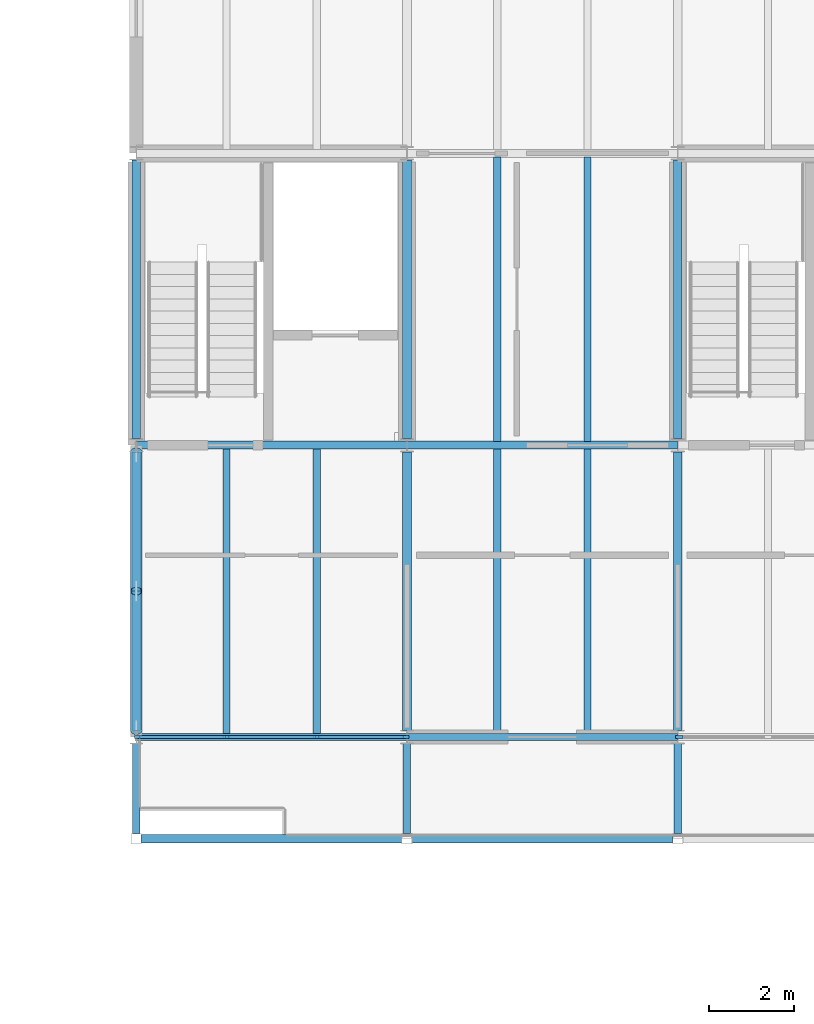
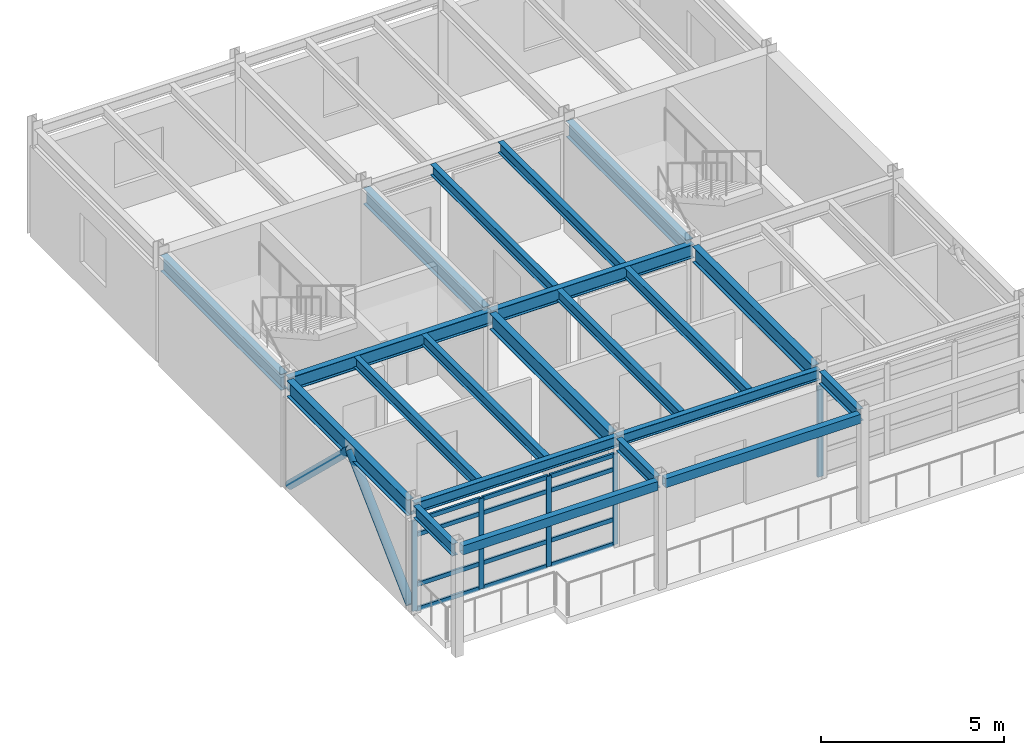
# One storey, part 18 of 57: 21 beams, 19 members, 2 elements without a shape of their own.
"""IFC4 building model written with IfcOpenShell, lengths in metres."""

from ifc_helpers import new_model, si_unit, direction, frame, origin, origin_2d, place, context, subcontext, project, spatial, rectangle, hollow_rectangle, hollow_circle, i_section, extrude, material, layer, layer_set, material_profile, profile_set, type_object, element, aggregate, save


model = new_model("IFC4")

# Units and contexts
model_context = context("Model", 3, precision=1e-05, world=origin(), true_north=direction((0.0, 1.0)))
body_context = subcontext(model_context, "Body", "Model", "MODEL_VIEW")
ifc_project = project(units=[si_unit("LENGTHUNIT", "METRE"), si_unit("AREAUNIT", "SQUARE_METRE"), si_unit("VOLUMEUNIT", "CUBIC_METRE"), si_unit("PLANEANGLEUNIT", "RADIAN"), si_unit("MASSUNIT", "GRAM", prefix="KILO")], contexts=[model_context])

# Site, building, storey
site_placement = place(None, origin())
site = spatial("IfcSite", under=ifc_project, at=site_placement, CompositionType="ELEMENT")
building_placement = place(site_placement, origin())
building = spatial("IfcBuilding", under=site, at=building_placement, Name="Trelmorton Wharf Fire Station", CompositionType="ELEMENT")
storey_placement = place(building_placement, frame((0.0, 0.0, 13.5)))
storey = spatial("IfcBuildingStorey", under=building, at=storey_placement, Name="L03", CompositionType="ELEMENT", Elevation=13.5)

# Beams
ifc_material_1 = material(Name="Steel Grade 350", Category="steel")
ifc_material_profile_1 = material_profile(ifc_material_1, i_section(OverallWidth=0.177978515625, OverallDepth=0.406005859375, WebThickness=0.0078125, FlangeThickness=0.0126953125, FilletRadius=0.011474609375, at=origin_2d()), Name="410UB59.7")
ifc_profile_set_1 = profile_set([ifc_material_profile_1], Name="Steel Grade 350")
beam_type_1 = type_object("IfcBeamType", Name="BM_410UB60", PredefinedType="BEAM", material=ifc_profile_set_1)
beam_1_placement = place(storey_placement, frame((70.800048828125, 58.02099609375, 3.427001953125), z_axis=(0.0, 1.0, 0.0), x_axis=(-1.0, 0.0, 0.0)))
element("IfcBeam", 1, at=beam_1_placement, inside=storey, type_object=beam_type_1, Name="BM-L03-0964", PredefinedType="BEAM", context=body_context, shape_type="SweptSolid", body=[
    extrude(i_section(OverallWidth=0.177978515625, OverallDepth=0.406005859375, WebThickness=0.0078125, FlangeThickness=0.0126953125, FilletRadius=0.011474609375, at=origin_2d()), origin(), (0.0, 0.0, 1.0), 2.12548828125),
])
for number, where, z_axis, x_axis, name in (
    (2, (77.199951171875, 58.02099609375, 3.427001953125), (0.0, 1.0, 0.0), (-1.0, 0.0, 0.0), "BM-L03-0968"),
    (3, (83.60009765625, 58.02099609375, 3.427001953125), (0.0, 1.0, 0.0), (-1.0, 0.0, 0.0), "BM-L03-0972"),
):
    element("IfcBeam", number, at=place(storey_placement, frame(where, z_axis=z_axis, x_axis=x_axis)), inside=storey, type_object=beam_type_1, Name=name, PredefinedType="BEAM", context=body_context, shape_type="SweptSolid", body=[
        extrude(i_section(OverallWidth=0.177978515625, OverallDepth=0.406005859375, WebThickness=0.0078125, FlangeThickness=0.0126953125, FilletRadius=0.011474609375, at=origin_2d()), origin(), (0.0, 0.0, 1.0), 2.12255859375),
    ])
ifc_material_profile_2 = material_profile(ifc_material_1, i_section(OverallWidth=0.18994140625, OverallDepth=0.45703125, WebThickness=0.009033203125, FlangeThickness=0.014404296875, FilletRadius=0.011474609375, at=origin_2d()), Name="460UB74.6")
ifc_profile_set_2 = profile_set([ifc_material_profile_2], Name="Steel Grade 350")
beam_type_2 = type_object("IfcBeamType", Name="BM_460UB75", PredefinedType="BEAM", material=ifc_profile_set_2)
beam_2_placement = place(storey_placement, frame((70.804931640625, 67.199951171875, 3.401611328125), z_axis=(1.0, 0.0, 0.0), x_axis=(0.0, 1.0, 0.0)))
element("IfcBeam", 4, at=beam_2_placement, inside=storey, type_object=beam_type_2, Name="BM-L03-0931", PredefinedType="BEAM", context=body_context, shape_type="SweptSolid", body=[
    extrude(i_section(OverallWidth=0.18994140625, OverallDepth=0.45703125, WebThickness=0.009033203125, FlangeThickness=0.014404296875, FilletRadius=0.011474609375, at=origin_2d()), origin(), (0.0, 0.0, 1.0), 6.39013671875),
])
beam_3_placement = place(storey_placement, frame((77.204833984375, 67.199951171875, 3.401611328125), z_axis=(1.0, 0.0, 0.0), x_axis=(0.0, 1.0, 0.0)))
element("IfcBeam", 5, at=beam_3_placement, inside=storey, type_object=beam_type_2, Name="BM-L03-0932", PredefinedType="BEAM", context=body_context, shape_type="SweptSolid", body=[
    extrude(i_section(OverallWidth=0.18994140625, OverallDepth=0.45703125, WebThickness=0.009033203125, FlangeThickness=0.014404296875, FilletRadius=0.011474609375, at=origin_2d()), origin(), (0.0, 0.0, 1.0), 6.390380859375),
])
ifc_material_profile_3 = material_profile(ifc_material_1, i_section(OverallWidth=0.208984375, OverallDepth=0.532958984375, WebThickness=0.01025390625, FlangeThickness=0.015625, FilletRadius=0.013916015625, at=origin_2d()), Name="530UB92.4")
ifc_profile_set_3 = profile_set([ifc_material_profile_3], Name="Steel Grade 350")
beam_type_3 = type_object("IfcBeamType", Name="BM_530UB92", PredefinedType="BEAM", material=ifc_profile_set_3)
beam_4_placement = place(storey_placement, frame((70.800048828125, 60.45361328125, 3.363525390625), z_axis=(0.0, 1.0, 0.0), x_axis=(-1.0, 0.0, 0.0)))
element("IfcBeam", 6, at=beam_4_placement, inside=storey, type_object=beam_type_3, Name="BM-L03-0965", PredefinedType="BEAM", context=body_context, shape_type="SweptSolid", body=[
    extrude(i_section(OverallWidth=0.208984375, OverallDepth=0.532958984375, WebThickness=0.01025390625, FlangeThickness=0.015625, FilletRadius=0.013916015625, at=origin_2d()), origin(), (0.0, 0.0, 1.0), 6.58984375),
])
beam_5_placement = place(storey_placement, frame((70.800048828125, 67.3564453125, 3.363525390625), z_axis=(0.0, 1.0, 0.0), x_axis=(-1.0, 0.0, 0.0)))
element("IfcBeam", 7, at=beam_5_placement, inside=storey, type_object=beam_type_3, Name="BM-L03-0966", PredefinedType="BEAM", context=body_context, shape_type="SweptSolid", body=[
    extrude(i_section(OverallWidth=0.208984375, OverallDepth=0.532958984375, WebThickness=0.01025390625, FlangeThickness=0.015625, FilletRadius=0.013916015625, at=origin_2d()), origin(), (0.0, 0.0, 1.0), 6.587158203125),
])
beam_6_placement = place(storey_placement, frame((77.199951171875, 60.45654296875, 3.363525390625), z_axis=(0.0, 1.0, 0.0), x_axis=(-1.0, 0.0, 0.0)))
element("IfcBeam", 8, at=beam_6_placement, inside=storey, type_object=beam_type_3, Name="BM-L03-0969", PredefinedType="BEAM", context=body_context, shape_type="SweptSolid", body=[
    extrude(i_section(OverallWidth=0.208984375, OverallDepth=0.532958984375, WebThickness=0.01025390625, FlangeThickness=0.015625, FilletRadius=0.013916015625, at=origin_2d()), origin(), (0.0, 0.0, 1.0), 6.5869140625),
])
beam_7_placement = place(storey_placement, frame((77.199951171875, 67.3564453125, 3.363525390625), z_axis=(0.0, 1.0, 0.0), x_axis=(-1.0, 0.0, 0.0)))
element("IfcBeam", 9, at=beam_7_placement, inside=storey, type_object=beam_type_3, Name="BM-L03-0970", PredefinedType="BEAM", context=body_context, shape_type="SweptSolid", body=[
    extrude(i_section(OverallWidth=0.208984375, OverallDepth=0.532958984375, WebThickness=0.01025390625, FlangeThickness=0.015625, FilletRadius=0.013916015625, at=origin_2d()), origin(), (0.0, 0.0, 1.0), 6.587158203125),
])
beam_8_placement = place(storey_placement, frame((83.60009765625, 60.45654296875, 3.363525390625), z_axis=(0.0, 1.0, 0.0), x_axis=(-1.0, 0.0, 0.0)))
element("IfcBeam", 10, at=beam_8_placement, inside=storey, type_object=beam_type_3, Name="BM-L03-0973", PredefinedType="BEAM", context=body_context, shape_type="SweptSolid", body=[
    extrude(i_section(OverallWidth=0.208984375, OverallDepth=0.532958984375, WebThickness=0.01025390625, FlangeThickness=0.015625, FilletRadius=0.013916015625, at=origin_2d()), origin(), (0.0, 0.0, 1.0), 6.5869140625),
])
beam_9_placement = place(storey_placement, frame((83.60009765625, 67.3564453125, 3.363525390625), z_axis=(0.0, 1.0, 0.0), x_axis=(-1.0, 0.0, 0.0)))
element("IfcBeam", 11, at=beam_9_placement, inside=storey, type_object=beam_type_3, Name="BM-L03-0974", PredefinedType="BEAM", context=body_context, shape_type="SweptSolid", body=[
    extrude(i_section(OverallWidth=0.208984375, OverallDepth=0.532958984375, WebThickness=0.01025390625, FlangeThickness=0.015625, FilletRadius=0.013916015625, at=origin_2d()), origin(), (0.0, 0.0, 1.0), 6.587158203125),
])
ifc_material_2 = material(Name="Signal-red architectural steel Grade 350", Category="steel")
ifc_material_profile_4 = material_profile(ifc_material_2, hollow_rectangle(XDim=0.199951171875, YDim=0.300048828125, WallThickness=0.012451171875, at=origin_2d()), Name="300x200x12.5RHS")
ifc_profile_set_4 = profile_set([ifc_material_profile_4], Name="Signal-red architectural steel Grade 350")
beam_type_4 = type_object("IfcBeamType", Name="BM_RED_300RHS", PredefinedType="BEAM", material=ifc_profile_set_4)
beam_10_placement = place(storey_placement, frame((70.9208984375, 57.89990234375, 3.47998046875), z_axis=(1.0, 0.0, 0.0), x_axis=(0.0, 1.0, 0.0)))
element("IfcBeam", 12, at=beam_10_placement, inside=storey, type_object=beam_type_4, Name="BM-L03-0917", PredefinedType="BEAM", context=body_context, shape_type="SweptSolid", body=[
    extrude(hollow_rectangle(XDim=0.199951171875, YDim=0.300048828125, WallThickness=0.012451171875, at=origin_2d()), origin(), (0.0, 0.0, 1.0), 6.158203125),
])
beam_11_placement = place(storey_placement, frame((77.321044921875, 57.89990234375, 3.47998046875), z_axis=(1.0, 0.0, 0.0), x_axis=(0.0, 1.0, 0.0)))
element("IfcBeam", 13, at=beam_11_placement, inside=storey, type_object=beam_type_4, Name="BM-L03-0918", PredefinedType="BEAM", context=body_context, shape_type="SweptSolid", body=[
    extrude(hollow_rectangle(XDim=0.199951171875, YDim=0.300048828125, WallThickness=0.012451171875, at=origin_2d()), origin(), (0.0, 0.0, 1.0), 6.157958984375),
])

# Members
ifc_material_3 = material(Name="Steel C350L0 (350 MPa)", Category="steel")
ifc_material_profile_5 = material_profile(ifc_material_3, hollow_circle(Radius=0.136474609375, WallThickness=0.00927734375, at=origin_2d()), Name="273.1x9.3CHS")
ifc_profile_set_5 = profile_set([ifc_material_profile_5], Name="Steel C350L0 (350 MPa)")
member_type_1 = type_object("IfcMemberType", Name="BR_273CHS", PredefinedType="BRACE", material=ifc_profile_set_5)
member_1_placement = place(storey_placement, frame((70.800048828125, 60.45458984375, 0.1201171875), z_axis=(0.0, 0.721790056105, 0.692112068171), x_axis=(-1.0, 0.0, 0.0)))
element("IfcMember", 14, at=member_1_placement, inside=storey, type_object=member_type_1, Name="CBF-V2-W-L03-A", PredefinedType="BRACE", context=body_context, shape_type="SweptSolid", body=[
    extrude(hollow_circle(Radius=0.136474609375, WallThickness=0.00927734375, at=origin_2d()), origin(), (0.0, 0.0, 1.0), 4.565673828125),
])
member_2_placement = place(storey_placement, frame((70.800048828125, 67.04248046875, 0.1201171875), z_axis=(0.0, -0.721482462485, 0.692432708879), x_axis=(1.0, 0.0, 0.0)))
element("IfcMember", 15, at=member_2_placement, inside=storey, type_object=member_type_1, Name="CBF-V2-W-L03-B", PredefinedType="BRACE", context=body_context, shape_type="SweptSolid", body=[
    extrude(hollow_circle(Radius=0.136474609375, WallThickness=0.00927734375, at=origin_2d()), origin(), (0.0, 0.0, 1.0), 4.5634765625),
])

# Curtain wall, members
ifc_material_4 = material(Name="Anodised aluminium AW-6063", Category="aluminium")
ifc_layer = layer(ifc_material_4, 0.159912109375)
ifc_layer_set = layer_set([ifc_layer], Name="Anodised aluminium AW-6063")
curtain_wall_type = type_object("IfcCurtainWallType", Name="CW_CHIC_A", PredefinedType="USERDEFINED", material=ifc_layer_set)
curtain_wall_1_placement = place(storey_placement, origin())
curtain_wall_1 = element("IfcCurtainWall", 16, at=curtain_wall_1_placement, inside=storey, type_object=curtain_wall_type, Name="CW-V2-L03-103", ObjectType="CHICAGO BAY CURTAIN WALL", PredefinedType="USERDEFINED")
ifc_material_profile_6 = material_profile(ifc_material_4, rectangle(XDim=0.06494140625, YDim=0.159912109375, at=origin_2d()), Name="ALU-65x160")
ifc_profile_set_6 = profile_set([ifc_material_profile_6], Name="Anodised aluminium AW-6063")
member_type_2 = type_object("IfcMemberType", Name="CWM_65x160", PredefinedType="MULLION", material=ifc_profile_set_6)
member_3_placement = place(storey_placement, frame((77.1650390625, 60.300048828125, 0.0), z_axis=(0.0, 0.0, 1.0), x_axis=(0.0, -1.0, 0.0)))
member_3 = element("IfcMember", 17, at=member_3_placement, type_object=member_type_2, Name="CW1 mullion 1", PredefinedType="MULLION", context=body_context, shape_type="SweptSolid", body=[
    extrude(rectangle(XDim=0.06494140625, YDim=0.159912109375, at=origin_2d()), origin(), (0.0, 0.0, 1.0), 3.02001953125),
])
member_4_placement = place(storey_placement, frame((75.06494140625, 60.300048828125, 0.0), z_axis=(0.0, 0.0, 1.0), x_axis=(0.0, -1.0, 0.0)))
member_4 = element("IfcMember", 18, at=member_4_placement, type_object=member_type_2, Name="CW1 mullion 2", PredefinedType="MULLION", context=body_context, shape_type="SweptSolid", body=[
    extrude(rectangle(XDim=0.06494140625, YDim=0.159912109375, at=origin_2d()), origin(), (0.0, 0.0, 1.0), 3.02001953125),
])
member_5_placement = place(storey_placement, frame((72.93505859375, 60.300048828125, 0.0), z_axis=(0.0, 0.0, 1.0), x_axis=(0.0, -1.0, 0.0)))
member_5 = element("IfcMember", 19, at=member_5_placement, type_object=member_type_2, Name="CW1 mullion 3", PredefinedType="MULLION", context=body_context, shape_type="SweptSolid", body=[
    extrude(rectangle(XDim=0.06494140625, YDim=0.159912109375, at=origin_2d()), origin(), (0.0, 0.0, 1.0), 3.02001953125),
])
member_6_placement = place(storey_placement, frame((70.8349609375, 60.300048828125, 0.0), z_axis=(0.0, 0.0, 1.0), x_axis=(0.0, -1.0, 0.0)))
member_6 = element("IfcMember", 20, at=member_6_placement, type_object=member_type_2, Name="CW1 mullion 4", PredefinedType="MULLION", context=body_context, shape_type="SweptSolid", body=[
    extrude(rectangle(XDim=0.06494140625, YDim=0.159912109375, at=origin_2d()), origin(), (0.0, 0.0, 1.0), 3.02001953125),
])

# Curtain wall, member
curtain_wall_2_placement = place(storey_placement, origin())
curtain_wall_2 = element("IfcCurtainWall", 21, at=curtain_wall_2_placement, inside=storey, type_object=curtain_wall_type, Name="CW-V2-L03-104", ObjectType="CHICAGO BAY CURTAIN WALL", PredefinedType="USERDEFINED")
ifc_material_profile_7 = material_profile(ifc_material_4, rectangle(XDim=0.074951171875, YDim=0.175048828125, at=origin_2d()), Name="ALU-75x175")
ifc_profile_set_7 = profile_set([ifc_material_profile_7], Name="Anodised aluminium AW-6063")
member_type_3 = type_object("IfcMemberType", Name="CWM_75x175", PredefinedType="MULLION", material=ifc_profile_set_7)
member_7_placement = place(storey_placement, frame((83.635009765625, 60.300048828125, 0.0), z_axis=(0.0, 0.0, 1.0), x_axis=(0.0, -1.0, 0.0)))
member_7 = element("IfcMember", 22, at=member_7_placement, type_object=member_type_3, Name="CW1 mullion 4", PredefinedType="MULLION", context=body_context, shape_type="SweptSolid", body=[
    extrude(rectangle(XDim=0.074951171875, YDim=0.175048828125, at=origin_2d()), origin(), (0.0, 0.0, 1.0), 3.02001953125),
])
aggregate(curtain_wall_2, [member_7])

# Member
ifc_material_profile_8 = material_profile(ifc_material_4, rectangle(XDim=0.06494140625, YDim=0.139892578125, at=origin_2d()), Name="ALU-65x140")
ifc_profile_set_8 = profile_set([ifc_material_profile_8], Name="Anodised aluminium AW-6063")
member_type_4 = type_object("IfcMemberType", Name="CWT_65x140", PredefinedType="USERDEFINED", material=ifc_profile_set_8)
member_8_placement = place(storey_placement, frame((77.135009765625, 60.300048828125, 0.030029296875), z_axis=(-1.0, 0.0, 0.0), x_axis=(0.0, -1.0, 0.0)))
member_8 = element("IfcMember", 23, at=member_8_placement, type_object=member_type_4, Name="CW1 transom 1.1", ObjectType="TRANSOM", PredefinedType="USERDEFINED", context=body_context, shape_type="SweptSolid", body=[
    extrude(rectangle(XDim=0.06494140625, YDim=0.139892578125, at=origin_2d()), origin(), (0.0, 0.0, 1.0), 2.0400390625),
])

member_9_placement = place(storey_placement, frame((77.135009765625, 60.300048828125, 0.85009765625), z_axis=(-1.0, 0.0, 0.0), x_axis=(0.0, -1.0, 0.0)))
member_9 = element("IfcMember", 24, at=member_9_placement, type_object=member_type_4, Name="CW1 transom 1.2", ObjectType="TRANSOM", PredefinedType="USERDEFINED", context=body_context, shape_type="SweptSolid", body=[
    extrude(rectangle(XDim=0.06494140625, YDim=0.139892578125, at=origin_2d()), origin(), (0.0, 0.0, 1.0), 2.0400390625),
])

member_10_placement = place(storey_placement, frame((77.135009765625, 60.300048828125, 2.52001953125), z_axis=(-1.0, 0.0, 0.0), x_axis=(0.0, -1.0, 0.0)))
member_10 = element("IfcMember", 25, at=member_10_placement, type_object=member_type_4, Name="CW1 transom 1.3", ObjectType="TRANSOM", PredefinedType="USERDEFINED", context=body_context, shape_type="SweptSolid", body=[
    extrude(rectangle(XDim=0.06494140625, YDim=0.139892578125, at=origin_2d()), origin(), (0.0, 0.0, 1.0), 2.0400390625),
])

member_11_placement = place(storey_placement, frame((77.135009765625, 60.300048828125, 2.989990234375), z_axis=(-1.0, 0.0, 0.0), x_axis=(0.0, -1.0, 0.0)))
member_11 = element("IfcMember", 26, at=member_11_placement, type_object=member_type_4, Name="CW1 transom 1.4", ObjectType="TRANSOM", PredefinedType="USERDEFINED", context=body_context, shape_type="SweptSolid", body=[
    extrude(rectangle(XDim=0.06494140625, YDim=0.139892578125, at=origin_2d()), origin(), (0.0, 0.0, 1.0), 2.0400390625),
])

member_12_placement = place(storey_placement, frame((75.034912109375, 60.300048828125, 0.030029296875), z_axis=(-1.0, 0.0, 0.0), x_axis=(0.0, -1.0, 0.0)))
member_12 = element("IfcMember", 27, at=member_12_placement, type_object=member_type_4, Name="CW1 transom 2.1", ObjectType="TRANSOM", PredefinedType="USERDEFINED", context=body_context, shape_type="SweptSolid", body=[
    extrude(rectangle(XDim=0.06494140625, YDim=0.139892578125, at=origin_2d()), origin(), (0.0, 0.0, 1.0), 2.06982421875),
])

member_13_placement = place(storey_placement, frame((75.034912109375, 60.300048828125, 0.85009765625), z_axis=(-1.0, 0.0, 0.0), x_axis=(0.0, -1.0, 0.0)))
member_13 = element("IfcMember", 28, at=member_13_placement, type_object=member_type_4, Name="CW1 transom 2.2", ObjectType="TRANSOM", PredefinedType="USERDEFINED", context=body_context, shape_type="SweptSolid", body=[
    extrude(rectangle(XDim=0.06494140625, YDim=0.139892578125, at=origin_2d()), origin(), (0.0, 0.0, 1.0), 2.06982421875),
])

member_14_placement = place(storey_placement, frame((75.034912109375, 60.300048828125, 2.52001953125), z_axis=(-1.0, 0.0, 0.0), x_axis=(0.0, -1.0, 0.0)))
member_14 = element("IfcMember", 29, at=member_14_placement, type_object=member_type_4, Name="CW1 transom 2.3", ObjectType="TRANSOM", PredefinedType="USERDEFINED", context=body_context, shape_type="SweptSolid", body=[
    extrude(rectangle(XDim=0.06494140625, YDim=0.139892578125, at=origin_2d()), origin(), (0.0, 0.0, 1.0), 2.06982421875),
])

member_15_placement = place(storey_placement, frame((75.034912109375, 60.300048828125, 2.989990234375), z_axis=(-1.0, 0.0, 0.0), x_axis=(0.0, -1.0, 0.0)))
member_15 = element("IfcMember", 30, at=member_15_placement, type_object=member_type_4, Name="CW1 transom 2.4", ObjectType="TRANSOM", PredefinedType="USERDEFINED", context=body_context, shape_type="SweptSolid", body=[
    extrude(rectangle(XDim=0.06494140625, YDim=0.139892578125, at=origin_2d()), origin(), (0.0, 0.0, 1.0), 2.06982421875),
])

member_16_placement = place(storey_placement, frame((72.905029296875, 60.300048828125, 0.030029296875), z_axis=(-1.0, 0.0, 0.0), x_axis=(0.0, -1.0, 0.0)))
member_16 = element("IfcMember", 31, at=member_16_placement, type_object=member_type_4, Name="CW1 transom 3.1", ObjectType="TRANSOM", PredefinedType="USERDEFINED", context=body_context, shape_type="SweptSolid", body=[
    extrude(rectangle(XDim=0.06494140625, YDim=0.139892578125, at=origin_2d()), origin(), (0.0, 0.0, 1.0), 2.0400390625),
])

member_17_placement = place(storey_placement, frame((72.905029296875, 60.300048828125, 0.85009765625), z_axis=(-1.0, 0.0, 0.0), x_axis=(0.0, -1.0, 0.0)))
member_17 = element("IfcMember", 32, at=member_17_placement, type_object=member_type_4, Name="CW1 transom 3.2", ObjectType="TRANSOM", PredefinedType="USERDEFINED", context=body_context, shape_type="SweptSolid", body=[
    extrude(rectangle(XDim=0.06494140625, YDim=0.139892578125, at=origin_2d()), origin(), (0.0, 0.0, 1.0), 2.0400390625),
])

member_18_placement = place(storey_placement, frame((72.905029296875, 60.300048828125, 2.52001953125), z_axis=(-1.0, 0.0, 0.0), x_axis=(0.0, -1.0, 0.0)))
member_18 = element("IfcMember", 33, at=member_18_placement, type_object=member_type_4, Name="CW1 transom 3.3", ObjectType="TRANSOM", PredefinedType="USERDEFINED", context=body_context, shape_type="SweptSolid", body=[
    extrude(rectangle(XDim=0.06494140625, YDim=0.139892578125, at=origin_2d()), origin(), (0.0, 0.0, 1.0), 2.0400390625),
])

member_19_placement = place(storey_placement, frame((72.905029296875, 60.300048828125, 2.989990234375), z_axis=(-1.0, 0.0, 0.0), x_axis=(0.0, -1.0, 0.0)))
member_19 = element("IfcMember", 34, at=member_19_placement, type_object=member_type_4, Name="CW1 transom 3.4", ObjectType="TRANSOM", PredefinedType="USERDEFINED", context=body_context, shape_type="SweptSolid", body=[
    extrude(rectangle(XDim=0.06494140625, YDim=0.139892578125, at=origin_2d()), origin(), (0.0, 0.0, 1.0), 2.0400390625),
])

aggregate(curtain_wall_1, [member_3, member_4, member_5, member_6, member_8, member_9, member_10, member_11, member_12, member_13, member_14, member_15, member_16, member_17, member_18, member_19])

# Beams
ifc_material_profile_9 = material_profile(ifc_material_1, i_section(OverallWidth=0.172119140625, OverallDepth=0.35888671875, WebThickness=0.008056640625, FlangeThickness=0.012939453125, FilletRadius=0.011474609375, at=origin_2d()), Name="360UB56.7")
ifc_profile_set_9 = profile_set([ifc_material_profile_9], Name="Steel Grade 350")
beam_type_5 = type_object("IfcBeamType", Name="JS_360UB57", PredefinedType="JOIST", material=ifc_profile_set_9)
for number, where, z_axis, x_axis, name in (
    (35, (72.933349609375, 60.389892578125, 3.450439453125), (0.0, 1.0, 0.0), (-1.0, 0.0, 0.0), "JS-L03-0329"),
    (36, (75.066650390625, 60.389892578125, 3.450439453125), (0.0, 1.0, 0.0), (-1.0, 0.0, 0.0), "JS-L03-0330"),
    (37, (79.333251953125, 60.389892578125, 3.450439453125), (0.0, 1.0, 0.0), (-1.0, 0.0, 0.0), "JS-L03-0333"),
    (38, (81.466796875, 60.389892578125, 3.450439453125), (0.0, 1.0, 0.0), (-1.0, 0.0, 0.0), "JS-L03-0334"),
):
    element("IfcBeam", number, at=place(storey_placement, frame(where, z_axis=z_axis, x_axis=x_axis)), inside=storey, type_object=beam_type_5, Name=name, PredefinedType="JOIST", context=body_context, shape_type="SweptSolid", body=[
        extrude(i_section(OverallWidth=0.172119140625, OverallDepth=0.35888671875, WebThickness=0.008056640625, FlangeThickness=0.012939453125, FilletRadius=0.011474609375, at=origin_2d()), origin(), (0.0, 0.0, 1.0), 6.72021484375),
    ])
for number, where, z_axis, x_axis, name in (
    (39, (79.333251953125, 67.2900390625, 3.450439453125), (0.0, 1.0, 0.0), (-1.0, 0.0, 0.0), "JS-L03-0335"),
    (40, (81.466796875, 67.2900390625, 3.450439453125), (0.0, 1.0, 0.0), (-1.0, 0.0, 0.0), "JS-L03-0336"),
):
    element("IfcBeam", number, at=place(storey_placement, frame(where, z_axis=z_axis, x_axis=x_axis)), inside=storey, type_object=beam_type_5, Name=name, PredefinedType="JOIST", context=body_context, shape_type="SweptSolid", body=[
        extrude(i_section(OverallWidth=0.172119140625, OverallDepth=0.35888671875, WebThickness=0.008056640625, FlangeThickness=0.012939453125, FilletRadius=0.011474609375, at=origin_2d()), origin(), (0.0, 0.0, 1.0), 6.719970703125),
    ])
ifc_material_profile_10 = material_profile(ifc_material_1, i_section(OverallWidth=0.1708984375, OverallDepth=0.35595703125, WebThickness=0.00732421875, FlangeThickness=0.011474609375, FilletRadius=0.011474609375, at=origin_2d()), Name="360UB50.7")
ifc_profile_set_10 = profile_set([ifc_material_profile_10], Name="Steel Grade 350")
beam_type_6 = type_object("IfcBeamType", Name="SP_360UB51", PredefinedType="SPANDREL", material=ifc_profile_set_10)
beam_12_placement = place(storey_placement, frame((70.803955078125, 60.300048828125, 3.451904296875), z_axis=(1.0, 0.0, 0.0), x_axis=(0.0, 1.0, 0.0)))
element("IfcBeam", 41, at=beam_12_placement, inside=storey, type_object=beam_type_6, Name="BM-L03-0920", PredefinedType="SPANDREL", context=body_context, shape_type="SweptSolid", body=[
    extrude(i_section(OverallWidth=0.1708984375, OverallDepth=0.35595703125, WebThickness=0.00732421875, FlangeThickness=0.011474609375, FilletRadius=0.011474609375, at=origin_2d()), origin(), (0.0, 0.0, 1.0), 6.39111328125),
])
beam_13_placement = place(storey_placement, frame((77.204833984375, 60.300048828125, 3.451904296875), z_axis=(1.0, 0.0, 0.0), x_axis=(0.0, 1.0, 0.0)))
element("IfcBeam", 42, at=beam_13_placement, inside=storey, type_object=beam_type_6, Name="BM-L03-0921", PredefinedType="SPANDREL", context=body_context, shape_type="SweptSolid", body=[
    extrude(i_section(OverallWidth=0.1708984375, OverallDepth=0.35595703125, WebThickness=0.00732421875, FlangeThickness=0.011474609375, FilletRadius=0.011474609375, at=origin_2d()), origin(), (0.0, 0.0, 1.0), 6.390380859375),
])

save(model, "model.ifc")
